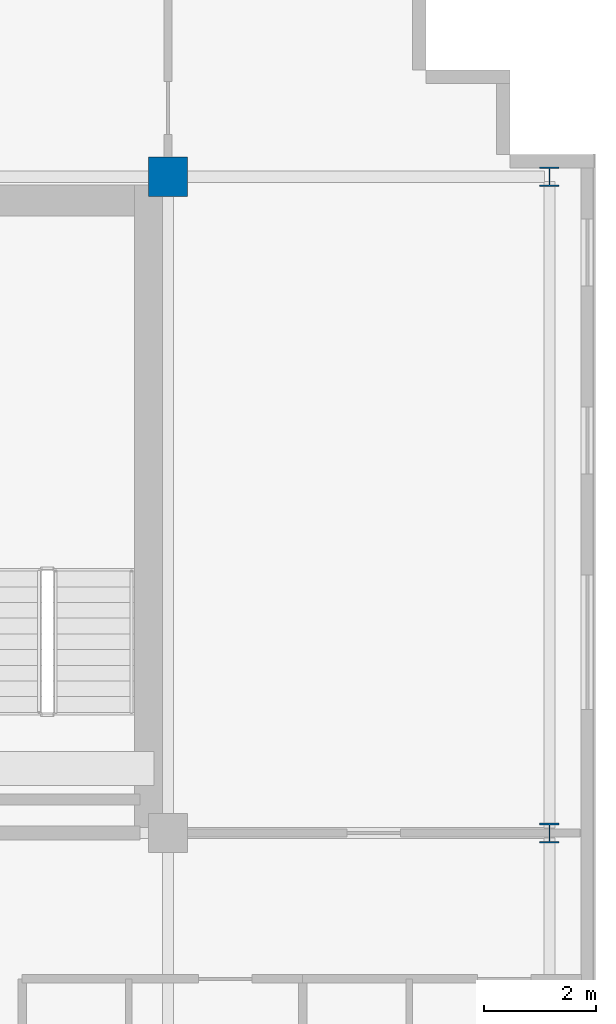
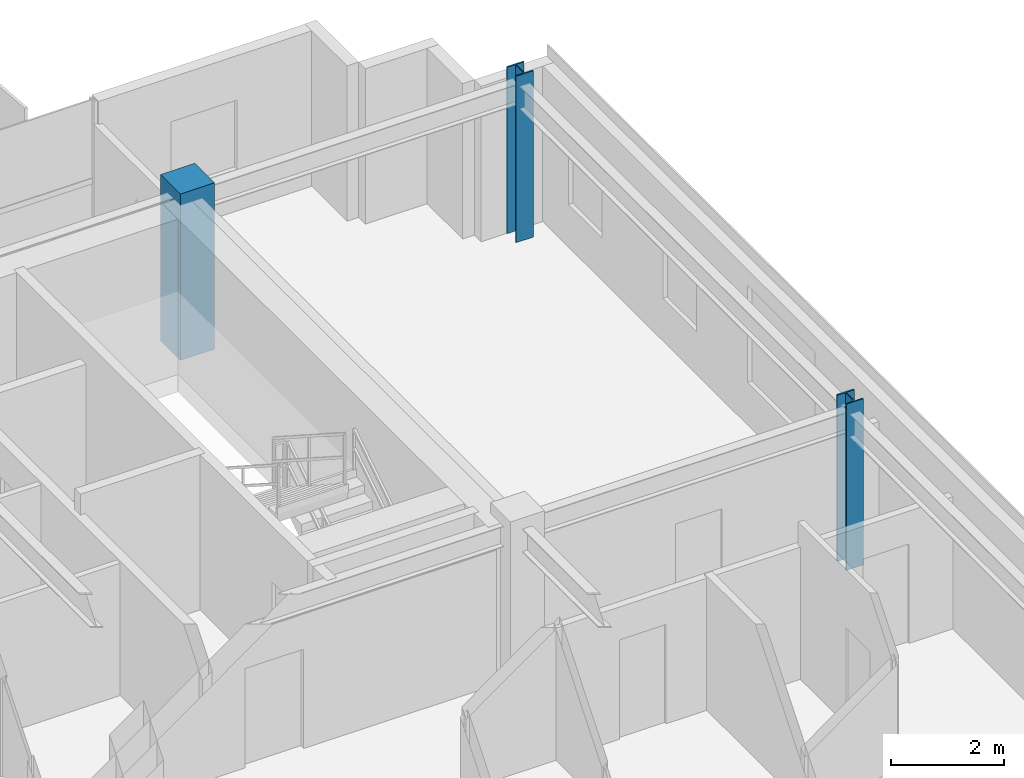
# One storey, part 4 of 23: 3 columns.
"""IFC4 building model written with IfcOpenShell, lengths in metres."""

from ifc_helpers import new_model, si_unit, direction, frame, origin, origin_2d, place, context, subcontext, project, spatial, rectangle, i_section, extrude, source, transform, mapped, material, material_profile, profile_set, type_object, element, save


model = new_model("IFC4")

# Units and contexts
model_context = context("Model", 3, precision=1e-05, world=origin(), true_north=direction((0.0, 1.0)))
body_context = subcontext(model_context, "Body", "Model", "MODEL_VIEW")
ifc_project = project(units=[si_unit("LENGTHUNIT", "METRE"), si_unit("AREAUNIT", "SQUARE_METRE"), si_unit("VOLUMEUNIT", "CUBIC_METRE"), si_unit("PLANEANGLEUNIT", "RADIAN"), si_unit("MASSUNIT", "GRAM", prefix="KILO")], contexts=[model_context])

# Site, building, storey
site_placement = place(None, origin())
site = spatial("IfcSite", under=ifc_project, at=site_placement, CompositionType="ELEMENT")
building_placement = place(site_placement, origin())
building = spatial("IfcBuilding", under=site, at=building_placement, Name="Trelvane Seafront Commons", CompositionType="ELEMENT")
storey_placement = place(building_placement, frame((0.0, 0.0, 190.5)))
storey = spatial("IfcBuildingStorey", under=building, at=storey_placement, Name="L49", CompositionType="ELEMENT", Elevation=190.5)

# Columns
ifc_material_1 = material(Name="Concrete C50/60", Category="concrete")
ifc_material_profile_1 = material_profile(ifc_material_1, rectangle(XDim=0.699951171875, YDim=0.699951171875, at=origin_2d()), Name="RC-700x700")
ifc_profile_set_1 = profile_set([ifc_material_profile_1], Name="Concrete C50/60")
column_type_1 = type_object("IfcColumnType", Name="STR-COL-RC700", PredefinedType="COLUMN", material=ifc_profile_set_1)
shared_shape_1 = source(origin(), body_context, "Body", "SweptSolid", [
    extrude(rectangle(XDim=0.699951171875, YDim=0.699951171875, at=origin_2d()), origin(), (0.0, 0.0, 1.0), 3.60009765625),
])
column_placement = place(storey_placement, frame((58.800048828125, 45.10009765625, 0.0), z_axis=(0.0, 0.0, 1.0), x_axis=(1.0, 0.0, 0.0)))
element("IfcColumn", 1, at=column_placement, inside=storey, type_object=column_type_1, Name="L49 Column TC-CN58.8", PredefinedType="COLUMN", context=body_context, shape_type="MappedRepresentation", body=[
    mapped(shared_shape_1, transform((0.0, 0.0, 0.0), x_axis=(1.0, 0.0, 0.0), y_axis=(0.0, 1.0, 0.0), z_axis=(0.0, 0.0, 1.0), scale=1.0)),
])
ifc_material_2 = material(Name="Steel SM355 (S355)", Category="steel")
ifc_material_profile_2 = material_profile(ifc_material_2, i_section(OverallWidth=0.35009765625, OverallDepth=0.35009765625, WebThickness=0.01806640625, FlangeThickness=0.028076171875, at=origin_2d()), Name="HD-350x350x18x28")
ifc_profile_set_2 = profile_set([ifc_material_profile_2], Name="Steel SM355 (S355)")
column_type_2 = type_object("IfcColumnType", Name="STR-COL-HD350", PredefinedType="COLUMN", material=ifc_profile_set_2)
shared_shape_2 = source(origin(), body_context, "Body", "SweptSolid", [
    extrude(i_section(OverallWidth=0.35009765625, OverallDepth=0.35009765625, WebThickness=0.01806640625, FlangeThickness=0.028076171875, at=origin_2d()), origin(), (0.0, 0.0, 1.0), 3.60009765625),
])
for number, where, z_axis, x_axis, name in (
    (2, (65.60009765625, 33.39990234375, 0.0), (0.0, 0.0, 1.0), (1.0, 0.0, 0.0), "L49 Column TC-CS65.6"),
    (3, (65.60009765625, 45.10009765625, 0.0), (0.0, 0.0, 1.0), (1.0, 0.0, 0.0), "L49 Column TC-CN65.6"),
):
    element("IfcColumn", number, at=place(storey_placement, frame(where, z_axis=z_axis, x_axis=x_axis)), inside=storey, type_object=column_type_2, Name=name, PredefinedType="COLUMN", context=body_context, shape_type="MappedRepresentation", body=[
        mapped(shared_shape_2, transform((0.0, 0.0, 0.0), x_axis=(1.0, 0.0, 0.0), y_axis=(0.0, 1.0, 0.0), z_axis=(0.0, 0.0, 1.0), scale=1.0)),
    ])

save(model, "model.ifc")
